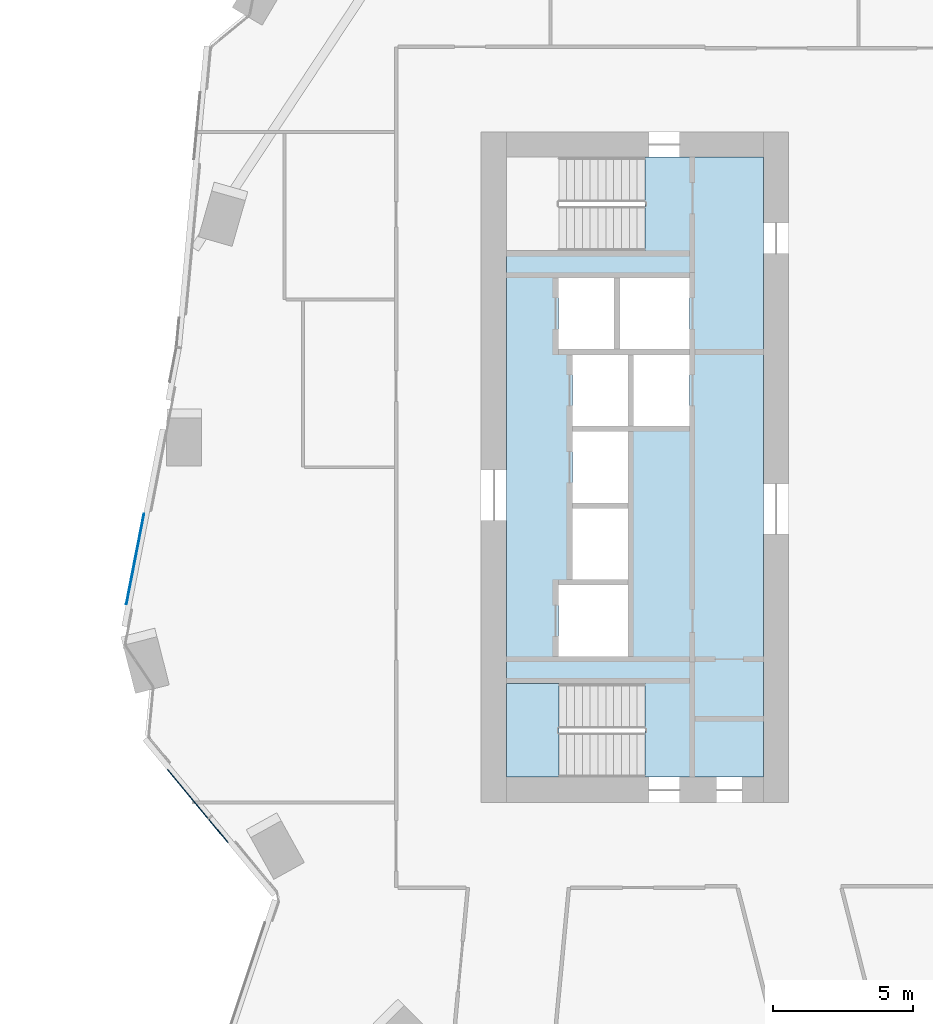
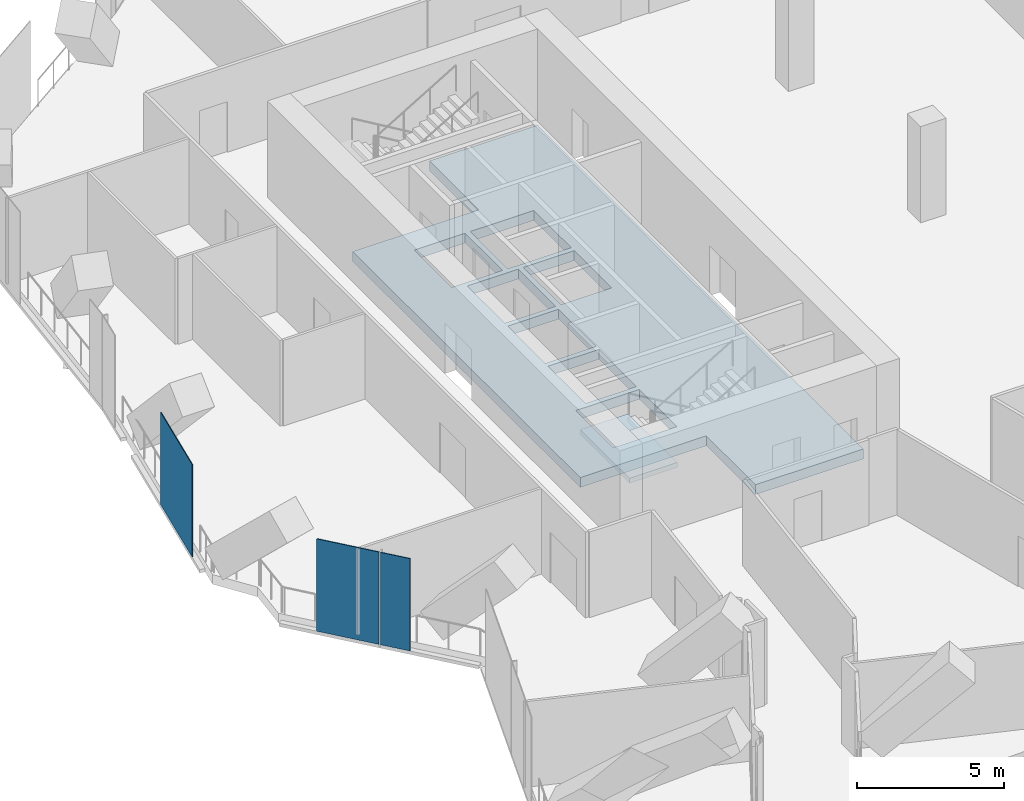
# One storey, part 14 of 28: 3 plates, 2 slabs, 3 elements without a shape of their own.
"""IFC4 building model written with IfcOpenShell, lengths in metres."""

from ifc_helpers import new_model, si_unit, direction, frame, origin, origin_2d, place, context, subcontext, project, spatial, polyline, rectangle, outline, extrude, material, layer, layer_set, type_object, element, aggregate, save


model = new_model("IFC4")

# Units and contexts
model_context = context("Model", 3, precision=1e-05, world=origin(), true_north=direction((0.0, 1.0)))
body_context = subcontext(model_context, "Body", "Model", "MODEL_VIEW")
ifc_project = project(units=[si_unit("LENGTHUNIT", "METRE"), si_unit("AREAUNIT", "SQUARE_METRE"), si_unit("VOLUMEUNIT", "CUBIC_METRE"), si_unit("PLANEANGLEUNIT", "RADIAN"), si_unit("MASSUNIT", "GRAM", prefix="KILO")], contexts=[model_context])

# Site, building, storey
site_placement = place(None, origin())
site = spatial("IfcSite", under=ifc_project, at=site_placement, CompositionType="ELEMENT")
building_placement = place(site_placement, origin())
building = spatial("IfcBuilding", under=site, at=building_placement, Name="Orlundy Tower", CompositionType="ELEMENT")
storey_placement = place(building_placement, frame((0.0, 0.0, 163.10009765625)))
storey = spatial("IfcBuildingStorey", under=building, at=storey_placement, Name="L42", CompositionType="ELEMENT", Elevation=163.10009765625)

# Curtain wall, plate
ifc_material_1 = material(Name="Aluminium bronze anodised", Category="aluminium")
curtain_wall_type = type_object("IfcCurtainWallType", Name="CW5 wall", PredefinedType="NOTDEFINED", material=ifc_material_1)
curtain_wall_1_placement = place(storey_placement, origin())
curtain_wall_1 = element("IfcCurtainWall", 1, at=curtain_wall_1_placement, inside=storey, type_object=curtain_wall_type, Name="CW5 run 02", PredefinedType="NOTDEFINED")
ifc_material_2 = material(Name="Tinted glass", Category="glass")
ifc_layer_1 = layer(ifc_material_2, 0.031982421875)
ifc_layer_set_1 = layer_set([ifc_layer_1], Name="CW5 glass panel 32")
plate_type = type_object("IfcPlateType", Name="CW5 glass panel 32", PredefinedType="CURTAIN_PANEL", material=ifc_layer_set_1)
plate_1_placement = place(storey_placement, frame((-31.38818359375, -3.287841796875, -0.26025390625), z_axis=(0.0, 0.0, 1.0), x_axis=(0.190788950404, 0.981631079583, 0.0)))
plate_1 = element("IfcPlate", 2, at=plate_1_placement, type_object=plate_type, Name="CW5 panel", PredefinedType="CURTAIN_PANEL", context=body_context, shape_type="SweptSolid", body=[
    extrude(rectangle(XDim=3.30078125, YDim=0.031982421875, at=origin_2d()), origin(), (0.0, 0.0, 1.0), 3.840087890625),
])
aggregate(curtain_wall_1, [plate_1])

# Curtain wall, plates
curtain_wall_2_placement = place(storey_placement, origin())
curtain_wall_2 = element("IfcCurtainWall", 3, at=curtain_wall_2_placement, inside=storey, type_object=curtain_wall_type, Name="CW5 run 044", PredefinedType="NOTDEFINED")
plate_2_placement = place(storey_placement, frame((-28.410400390625, -13.02490234375, -0.26025390625), z_axis=(0.0, 0.0, 1.0), x_axis=(-0.63833586959, 0.769757960397, 0.0)))
plate_2 = element("IfcPlate", 4, at=plate_2_placement, type_object=plate_type, Name="CW5 panel", PredefinedType="CURTAIN_PANEL", context=body_context, shape_type="SweptSolid", body=[
    extrude(rectangle(XDim=1.0751953125, YDim=0.031982421875, at=origin_2d()), origin(), (0.0, 0.0, 1.0), 3.840087890625),
])
plate_3_placement = place(storey_placement, frame((-29.509033203125, -11.700439453125, -0.26025390625), z_axis=(0.0, 0.0, 1.0), x_axis=(-0.63833586959, 0.769757960397, 0.0)))
plate_3 = element("IfcPlate", 5, at=plate_3_placement, type_object=plate_type, Name="CW5 panel", PredefinedType="CURTAIN_PANEL", context=body_context, shape_type="SweptSolid", body=[
    extrude(rectangle(XDim=2.2666015625, YDim=0.031982421875, at=origin_2d()), origin(), (0.0, 0.0, 1.0), 3.840087890625),
])
aggregate(curtain_wall_2, [plate_2, plate_3])

# Slab
ifc_material_3 = material(Name="Concrete C50/60", Category="concrete")
ifc_layer_2 = layer(ifc_material_3, 0.409912109375)
ifc_layer_set_2 = layer_set([ifc_layer_2], Name="Core Floor Slab 410")
slab_type_1 = type_object("IfcSlabType", Name="Core Floor Slab 410", PredefinedType="FLOOR", material=ifc_layer_set_2)
slab_1_placement = place(storey_placement, frame((0.0, 0.0, -0.41015625)))
element("IfcSlab", 6, at=slab_1_placement, inside=storey, type_object=slab_type_1, Name="Core floor W33", PredefinedType="FLOOR", context=body_context, shape_type="SweptSolid", body=[
    extrude(outline(polyline([(-13.14501953125, -11.10009765625), (-13.14501953125, -7.75), (-18.10009765625, -7.75), (-18.10009765625, 7.75), (-13.14501953125, 7.75), (-13.14501953125, 11.10009765625), (-8.89990234375, 11.10009765625), (-8.89990234375, -11.10009765625), (-13.14501953125, -11.10009765625)]), holes=[polyline([(-13.739990234375, -4.22509765625), (-16.239990234375, -4.22509765625), (-16.239990234375, -6.77490234375), (-13.739990234375, -6.77490234375), (-13.739990234375, -4.22509765625)]), polyline([(-13.739990234375, -4.02490234375), (-13.739990234375, -1.47509765625), (-15.739990234375, -1.47509765625), (-15.739990234375, -4.02490234375), (-13.739990234375, -4.02490234375)]), polyline([(-15.739990234375, -1.27490234375), (-13.739990234375, -1.27490234375), (-13.739990234375, 1.27490234375), (-15.739990234375, 1.27490234375), (-15.739990234375, -1.27490234375)]), polyline([(-13.5400390625, 4.02490234375), (-13.5400390625, 1.47509765625), (-11.5400390625, 1.47509765625), (-11.5400390625, 4.02490234375), (-13.5400390625, 4.02490234375)]), polyline([(-13.739990234375, 4.02490234375), (-15.739990234375, 4.02490234375), (-15.739990234375, 1.47509765625), (-13.739990234375, 1.47509765625), (-13.739990234375, 4.02490234375)]), polyline([(-11.5400390625, 4.22509765625), (-11.5400390625, 6.77490234375), (-14.0400390625, 6.77490234375), (-14.0400390625, 4.22509765625), (-11.5400390625, 4.22509765625)]), polyline([(-16.239990234375, 4.22509765625), (-14.239990234375, 4.22509765625), (-14.239990234375, 6.77490234375), (-16.239990234375, 6.77490234375), (-16.239990234375, 4.22509765625)])]), origin(), (0.0, 0.0, 1.0), 0.41015625),
])

# Stair, slab
ifc_material_4 = material(Name="Concrete C50/60", Category="concrete")
stair_type = type_object("IfcStairType", Name="Exit Stair 24 risers", PredefinedType="HALF_TURN_STAIR", material=ifc_material_4)
stair_placement = place(storey_placement, origin())
stair = element("IfcStair", 7, at=stair_placement, inside=storey, type_object=stair_type, Name="L42 Exit Stair ST-W2", PredefinedType="HALF_TURN_STAIR")
ifc_material_5 = material(Name="Concrete C50/60", Category="concrete")
ifc_layer_3 = layer(ifc_material_5, 0.199951171875)
ifc_layer_set_3 = layer_set([ifc_layer_3], Name="Exit Stair Landing")
slab_type_2 = type_object("IfcSlabType", Name="Exit Stair Landing", PredefinedType="LANDING", material=ifc_layer_set_3)
slab_2_placement = place(storey_placement, frame((0.0, 0.0, 1.7998046875)))
slab_2 = element("IfcSlab", 8, at=slab_2_placement, type_object=slab_type_2, Name="ST-W2 landing 1", PredefinedType="LANDING", context=body_context, shape_type="SweptSolid", body=[
    extrude(outline(polyline([(-16.219970703125, -7.75), (-18.10009765625, -7.75), (-18.10009765625, -11.10009765625), (-16.219970703125, -11.10009765625), (-16.219970703125, -7.75)])), origin(), (0.0, 0.0, 1.0), 0.2001953125),
])
aggregate(stair, [slab_2])

save(model, "model.ifc")
